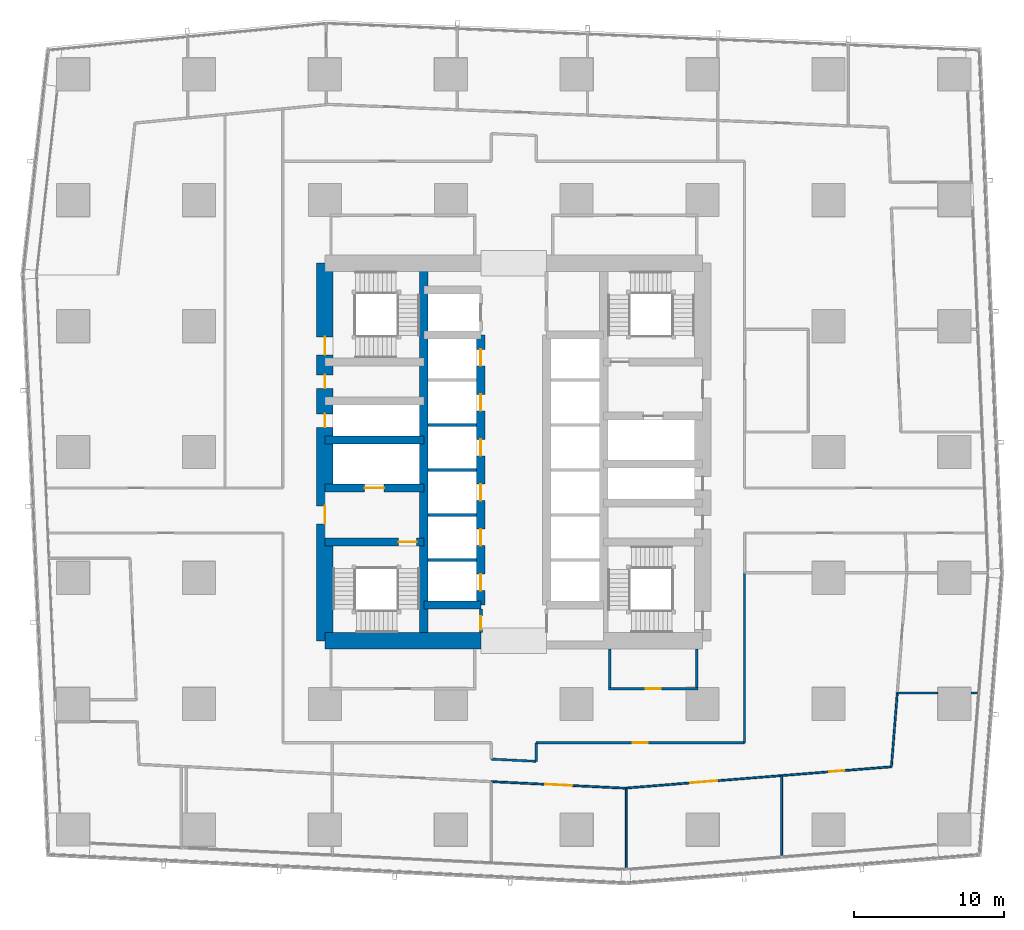
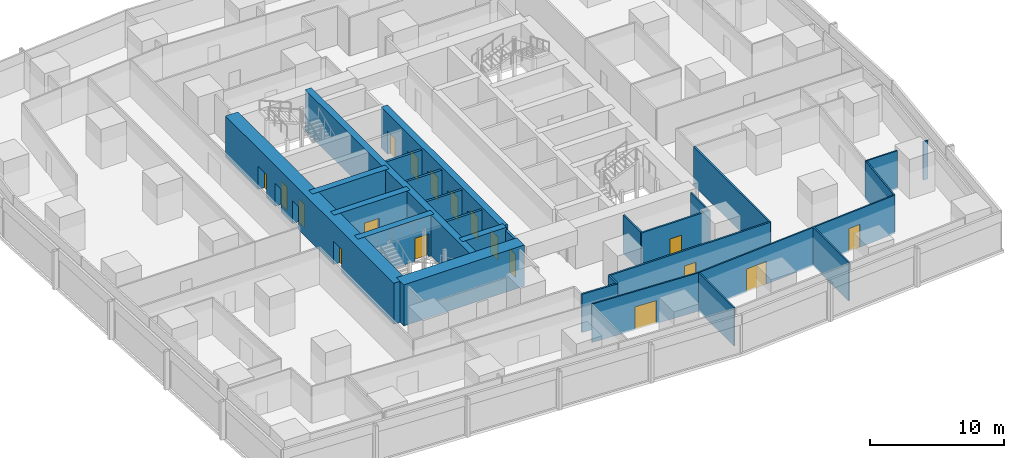
# One storey, part 32 of 44: 28 walls, 18 doors, 18 openings.
"""IFC4 building model written with IfcOpenShell, lengths in metres."""

import ifcopenshell
import ifcopenshell.guid

model = None  # the IFC model being written
_history = None  # IfcOwnerHistory: only IFC2X3 demands one
_inside = {}  # id of a spatial element -> (the spatial element, [elements in it])
_under = {}  # id of a project, library or spatial element -> (it, [spatial elements below it])
_declared = {}  # id of a project -> (the project, [libraries it declares])
_typed = {}  # id of a type object -> (the type object, [elements of that type])
_made_of = {}  # id of a material, layer set ... -> (it, [elements and type objects made of it])


def new_model(schema):
    """Start an empty IFC model of exactly this schema.

    Asked for "IFC4X3", IfcOpenShell would pick the latest addendum, in which some entities
    have other attributes; the version numbers below select the first issue.
    IFC2X3 requires an IfcOwnerHistory on every rooted entity: one is made here for all.
    """
    global model, _history
    if schema == "IFC4X3":
        model = ifcopenshell.file(schema_version=(4, 3, 0, 0))
    else:
        model = ifcopenshell.file(schema=schema)
    _inside.clear()
    _under.clear()
    _declared.clear()
    _typed.clear()
    _made_of.clear()
    _history = None
    if model.schema == "IFC2X3":
        org = make("IfcOrganization", Name="unknown")
        user = make(
            "IfcPersonAndOrganization",
            ThePerson=make("IfcPerson", FamilyName="unknown"),
            TheOrganization=org,
        )
        app = make(
            "IfcApplication",
            ApplicationDeveloper=org,
            Version="unknown",
            ApplicationFullName="unknown",
            ApplicationIdentifier="unknown",
        )
        _history = make(
            "IfcOwnerHistory",
            OwningUser=user,
            OwningApplication=app,
            ChangeAction="ADDED",
            CreationDate=0,
        )
    return model


def make(cls, **values):
    """One entity of the class cls with the attributes given. An attribute that is None is left unset."""
    return model.create_entity(
        cls, **{name: value for name, value in values.items() if value is not None}
    )


def rooted(cls, **values):
    """An entity with a GlobalId (a new one), such as an element, a storey or a relation."""
    return make(cls, GlobalId=ifcopenshell.guid.new(), OwnerHistory=_history, **values)


def si_unit(unit_type, name, prefix=None):
    """IfcSIUnit, for example si_unit("LENGTHUNIT", "METRE", prefix="MILLI")."""
    return make("IfcSIUnit", UnitType=unit_type, Prefix=prefix, Name=name)


def assignment(units):
    """IfcUnitAssignment: the units of a project."""
    return None if units is None else make("IfcUnitAssignment", Units=units)


def point(xyz):
    """IfcCartesianPoint."""
    return None if xyz is None else make("IfcCartesianPoint", Coordinates=xyz)


def direction(xyz):
    """IfcDirection."""
    return None if xyz is None else make("IfcDirection", DirectionRatios=xyz)


def frame(location, z_axis=None, x_axis=None):
    """IfcAxis2Placement3D, a coordinate frame: its origin and axes. An axis left out is left unset."""
    return make(
        "IfcAxis2Placement3D",
        Location=point(location),
        Axis=direction(z_axis),
        RefDirection=direction(x_axis),
    )


def frame_2d(location, x_axis=None):
    """IfcAxis2Placement2D, a coordinate frame in the plane: its origin and x axis."""
    return make(
        "IfcAxis2Placement2D", Location=point(location), RefDirection=direction(x_axis)
    )


def origin():
    """The frame at (0, 0, 0) with its axes left unset."""
    return frame((0.0, 0.0, 0.0))


def place(relative_to, where):
    """IfcLocalPlacement: puts the frame where relative to a parent placement (None: the world)."""
    return make(
        "IfcLocalPlacement", PlacementRelTo=relative_to, RelativePlacement=where
    )


def context(
    kind, dimensions, precision=None, world=None, true_north=None, identifier=None
):
    """IfcGeometricRepresentationContext, for example the 3D "Model" context."""
    return make(
        "IfcGeometricRepresentationContext",
        ContextIdentifier=identifier,
        ContextType=kind,
        CoordinateSpaceDimension=dimensions,
        Precision=precision,
        WorldCoordinateSystem=world,
        TrueNorth=true_north,
    )


def subcontext(parent, identifier, kind, view, scale=None):
    """IfcGeometricRepresentationSubContext, for example "Body" below "Model"."""
    return make(
        "IfcGeometricRepresentationSubContext",
        ContextIdentifier=identifier,
        ContextType=kind,
        ParentContext=parent,
        TargetScale=scale,
        TargetView=view,
    )


def project(units=None, contexts=None):
    """IfcProject with its units and contexts."""
    return rooted(
        "IfcProject",
        Name="project",
        RepresentationContexts=contexts,
        UnitsInContext=assignment(units),
    )


def spatial(cls, under=None, at=None, **own):
    """A site, building, storey or space (cls), placed at a placement, below another one or the project."""
    s = rooted(cls, ObjectPlacement=at, **own)
    if under is not None:
        _under.setdefault(under.id(), (under, []))[1].append(s)
    return s


def profile(cls, at=None, kind="AREA", **sizes):
    """A parametric profile (cls). Its sizes go by their IFC names, for example OverallWidth=200.0."""
    return make(cls, ProfileType=kind, Position=at, **sizes)


def rectangle(**sizes):
    """IfcRectangleProfileDef."""
    return profile("IfcRectangleProfileDef", **sizes)


def extrude(swept, where, along, depth):
    """IfcExtrudedAreaSolid: the profile swept, set in the frame where, extruded along a direction by depth."""
    return make(
        "IfcExtrudedAreaSolid",
        SweptArea=swept,
        Position=where,
        ExtrudedDirection=direction(along),
        Depth=depth,
    )


def shape(context_of_items, identifier, shape_type, items):
    """IfcShapeRepresentation: the items that make up one representation, for example the "Body"."""
    return make(
        "IfcShapeRepresentation",
        ContextOfItems=context_of_items,
        RepresentationIdentifier=identifier,
        RepresentationType=shape_type,
        Items=items,
    )


def material(Name=None, Category=None):
    """IfcMaterial."""
    return make("IfcMaterial", Name=Name, Category=Category)


def layer(
    of_material, thickness, ventilated=None, Name=None, Category=None, Priority=None
):
    """IfcMaterialLayer: one layer of a wall or slab, of a material (None: an air gap)."""
    return make(
        "IfcMaterialLayer",
        Material=of_material,
        LayerThickness=thickness,
        IsVentilated=ventilated,
        Name=Name,
        Category=Category,
        Priority=Priority,
    )


def layer_set(layers, Name=None):
    """IfcMaterialLayerSet."""
    return make("IfcMaterialLayerSet", MaterialLayers=layers, LayerSetName=Name)


def made_of(thing, what):
    """Note that an element or type object is made of a material, layer set ...; save() writes the relation."""
    if what is not None:
        _made_of.setdefault(what.id(), (what, []))[1].append(thing)
    return thing


def type_object(cls, material=None, **own):
    """A type object (cls), such as IfcWallType, which elements share."""
    return made_of(rooted(cls, **own), material)


def element(
    cls,
    number,
    at=None,
    inside=None,
    cuts=None,
    type_object=None,
    material=None,
    context=None,
    identifier="Body",
    shape_type=None,
    held_by="IfcProductDefinitionShape",
    body=None,
    shapes=None,
    **own,
):
    """One element of the class cls, such as IfcWall. Its Tag is "e" and its number.

    at: its placement. inside: the storey or other place that contains it. cuts: it is an
    opening in that element (IfcRelVoidsElement). A single representation is given by context,
    identifier, shape_type and body (its items); several are given by shapes. held_by: the class
    of the entity that holds the representations. save() writes the other relations.
    """
    e = rooted(cls, Tag="e%d" % number, ObjectPlacement=at, **own)
    if body is not None:
        shapes = [shape(context, identifier, shape_type, body)]
    if shapes is not None:
        e.Representation = make(held_by, Representations=shapes)
    if inside is not None:
        _inside.setdefault(inside.id(), (inside, []))[1].append(e)
    if cuts is not None:
        rooted(
            "IfcRelVoidsElement", RelatingBuildingElement=cuts, RelatedOpeningElement=e
        )
    if type_object is not None:
        _typed.setdefault(type_object.id(), (type_object, []))[1].append(e)
    return made_of(e, material)


def fill(opening, filler):
    """IfcRelFillsElement: the door or window that sits in an opening."""
    return rooted(
        "IfcRelFillsElement",
        RelatingOpeningElement=opening,
        RelatedBuildingElement=filler,
    )


def aggregate(whole, parts):
    """IfcRelAggregates: a whole, such as a stair, and the parts it consists of."""
    return rooted("IfcRelAggregates", RelatingObject=whole, RelatedObjects=parts)


def save(model, path):
    """Write the relations noted so far, then the file.

    IfcRelAggregates (storeys below a building ...), IfcRelContainedInSpatialStructure (elements
    in a storey), IfcRelDefinesByType, IfcRelAssociatesMaterial and IfcRelDeclares: one each for
    every whole, place, type object, material and project.
    """
    for whole, parts in _under.values():
        aggregate(whole, parts)
    for where, things in _inside.values():
        rooted(
            "IfcRelContainedInSpatialStructure",
            RelatedElements=things,
            RelatingStructure=where,
        )
    for kind, things in _typed.values():
        rooted("IfcRelDefinesByType", RelatedObjects=things, RelatingType=kind)
    for what, things in _made_of.values():
        rooted("IfcRelAssociatesMaterial", RelatedObjects=things, RelatingMaterial=what)
    for by, libraries in _declared.values():
        rooted("IfcRelDeclares", RelatingContext=by, RelatedDefinitions=libraries)
    model.write(path)


model = new_model("IFC4")

# Units and contexts
model_context = context("Model", 3, precision=1e-05, world=origin(), true_north=direction((0.0, 1.0)))
body_context = subcontext(model_context, "Body", "Model", "MODEL_VIEW")
ifc_project = project(units=[si_unit("LENGTHUNIT", "METRE"), si_unit("AREAUNIT", "SQUARE_METRE"), si_unit("VOLUMEUNIT", "CUBIC_METRE"), si_unit("PLANEANGLEUNIT", "RADIAN"), si_unit("MASSUNIT", "GRAM", prefix="KILO")], contexts=[model_context])

# Site, building, storey
site_placement = place(None, origin())
site = spatial("IfcSite", under=ifc_project, at=site_placement, CompositionType="ELEMENT")
building_placement = place(site_placement, origin())
building = spatial("IfcBuilding", under=site, at=building_placement, Name="Rekha Terrace Tower", CompositionType="ELEMENT")
storey_placement = place(building_placement, frame((0.0, 0.0, 66.64990234375)))
storey = spatial("IfcBuildingStorey", under=building, at=storey_placement, Name="L16", CompositionType="ELEMENT", Elevation=66.64990234375)

# Wall
ifc_material_1 = material(Name="Concrete M70", Category="concrete")
ifc_layer_1 = layer(ifc_material_1, 0.550048828125)
ifc_layer_set_1 = layer_set([ifc_layer_1], Name="Concrete M70")
wall_type_1 = type_object("IfcWallType", Name="CI1 550 core internal shear wall", PredefinedType="SHEAR", material=ifc_layer_set_1)
wall_1_placement = place(storey_placement, frame((31.800048828125, 21.0, 0.0), z_axis=(0.0, 0.0, 1.0), x_axis=(0.0, 1.0, 0.0)))
element("IfcWall", 1, at=wall_1_placement, inside=storey, type_object=wall_type_1, Name="Core wall X318 L16", PredefinedType="SHEAR", context=body_context, shape_type="SweptSolid", body=[
    extrude(rectangle(XDim=25.199951171875, YDim=0.550048828125, at=frame_2d((12.60009765625, 0.0))), origin(), (0.0, 0.0, 1.0), 3.75),
])

# Wall, openings, doors
wall_2_placement = place(storey_placement, frame((35.60009765625, 23.39990234375, 0.0), z_axis=(0.0, 0.0, 1.0), x_axis=(0.0, 1.0, 0.0)))
wall_2 = element("IfcWall", 2, at=wall_2_placement, inside=storey, type_object=wall_type_1, Name="Core wall X356 L16", PredefinedType="SHEAR", context=body_context, shape_type="SweptSolid", body=[
    extrude(rectangle(XDim=18.0, YDim=0.550048828125, at=frame_2d((9.0, 0.0))), origin(), (0.0, 0.0, 1.0), 3.75),
])
opening_1_placement = place(wall_2_placement, frame((0.949951171875, 0.0, 0.0)))
opening_1 = element("IfcOpeningElement", 3, at=opening_1_placement, cuts=wall_2, Name="Opening LD1", PredefinedType="OPENING", context=body_context, shape_type="SweptSolid", body=[
    extrude(rectangle(XDim=1.10009765625, YDim=2.10009765625, at=frame_2d((0.550048828125, 1.050048828125))), frame((0.0, 0.284912109375, 0.0), z_axis=(0.0, -1.0, 0.0), x_axis=(1.0, 0.0, 0.0)), (0.0, 0.0, 1.0), 0.570068359375),
])
opening_2_placement = place(wall_2_placement, frame((3.949951171875, 0.0, 0.0)))
opening_2 = element("IfcOpeningElement", 4, at=opening_2_placement, cuts=wall_2, Name="Opening LD1", PredefinedType="OPENING", context=body_context, shape_type="SweptSolid", body=[
    extrude(rectangle(XDim=1.10009765625, YDim=2.10009765625, at=frame_2d((0.550048828125, 1.050048828125))), frame((0.0, 0.284912109375, 0.0), z_axis=(0.0, -1.0, 0.0), x_axis=(1.0, 0.0, 0.0)), (0.0, 0.0, 1.0), 0.570068359375),
])
opening_3_placement = place(wall_2_placement, frame((6.949951171875, 0.0, 0.0)))
opening_3 = element("IfcOpeningElement", 5, at=opening_3_placement, cuts=wall_2, Name="Opening LD1", PredefinedType="OPENING", context=body_context, shape_type="SweptSolid", body=[
    extrude(rectangle(XDim=1.10009765625, YDim=2.10009765625, at=frame_2d((0.550048828125, 1.050048828125))), frame((0.0, 0.284912109375, 0.0), z_axis=(0.0, -1.0, 0.0), x_axis=(1.0, 0.0, 0.0)), (0.0, 0.0, 1.0), 0.570068359375),
])
opening_4_placement = place(wall_2_placement, frame((9.949951171875, 0.0, 0.0)))
opening_4 = element("IfcOpeningElement", 6, at=opening_4_placement, cuts=wall_2, Name="Opening LD1", PredefinedType="OPENING", context=body_context, shape_type="SweptSolid", body=[
    extrude(rectangle(XDim=1.10009765625, YDim=2.10009765625, at=frame_2d((0.550048828125, 1.050048828125))), frame((0.0, 0.284912109375, 0.0), z_axis=(0.0, -1.0, 0.0), x_axis=(1.0, 0.0, 0.0)), (0.0, 0.0, 1.0), 0.570068359375),
])
opening_5_placement = place(wall_2_placement, frame((12.949951171875, 0.0, 0.0)))
opening_5 = element("IfcOpeningElement", 7, at=opening_5_placement, cuts=wall_2, Name="Opening LD1", PredefinedType="OPENING", context=body_context, shape_type="SweptSolid", body=[
    extrude(rectangle(XDim=1.10009765625, YDim=2.10009765625, at=frame_2d((0.550048828125, 1.050048828125))), frame((0.0, 0.284912109375, 0.0), z_axis=(0.0, -1.0, 0.0), x_axis=(1.0, 0.0, 0.0)), (0.0, 0.0, 1.0), 0.570068359375),
])
opening_6_placement = place(wall_2_placement, frame((15.949951171875, 0.0, 0.0)))
opening_6 = element("IfcOpeningElement", 8, at=opening_6_placement, cuts=wall_2, Name="Opening LD1", PredefinedType="OPENING", context=body_context, shape_type="SweptSolid", body=[
    extrude(rectangle(XDim=1.10009765625, YDim=2.10009765625, at=frame_2d((0.550048828125, 1.050048828125))), frame((0.0, 0.284912109375, 0.0), z_axis=(0.0, -1.0, 0.0), x_axis=(1.0, 0.0, 0.0)), (0.0, 0.0, 1.0), 0.570068359375),
])
ifc_material_2 = material(Name="Stainless steel sliding landing door", Category="steel")
door_type_1 = type_object("IfcDoorType", Name="LD1 1100x2100 lift landing door", OperationType="SLIDING_TO_LEFT", PredefinedType="USERDEFINED", material=ifc_material_2)
door_1_placement = place(opening_1_placement, origin())
door_1 = element("IfcDoor", 9, at=door_1_placement, inside=storey, type_object=door_type_1, Name="Lift A1 landing door L16", ObjectType="LIFT LANDING DOOR", OperationType="SLIDING_TO_LEFT", OverallHeight=2.10009765625, OverallWidth=1.10009765625, PredefinedType="USERDEFINED", context=body_context, shape_type="SweptSolid", body=[
    extrude(rectangle(XDim=1.10009765625, YDim=2.10009765625, at=frame_2d((0.550048828125, 1.050048828125))), frame((0.0, 0.02490234375, 0.0), z_axis=(0.0, -1.0, 0.0), x_axis=(1.0, 0.0, 0.0)), (0.0, 0.0, 1.0), 0.050048828125),
])
fill(opening_1, door_1)
door_2_placement = place(opening_2_placement, origin())
door_2 = element("IfcDoor", 10, at=door_2_placement, inside=storey, type_object=door_type_1, Name="Lift A2 landing door L16", ObjectType="LIFT LANDING DOOR", OperationType="SLIDING_TO_LEFT", OverallHeight=2.10009765625, OverallWidth=1.10009765625, PredefinedType="USERDEFINED", context=body_context, shape_type="SweptSolid", body=[
    extrude(rectangle(XDim=1.10009765625, YDim=2.10009765625, at=frame_2d((0.550048828125, 1.050048828125))), frame((0.0, 0.02490234375, 0.0), z_axis=(0.0, -1.0, 0.0), x_axis=(1.0, 0.0, 0.0)), (0.0, 0.0, 1.0), 0.050048828125),
])
fill(opening_2, door_2)
door_3_placement = place(opening_3_placement, origin())
door_3 = element("IfcDoor", 11, at=door_3_placement, inside=storey, type_object=door_type_1, Name="Lift A3 landing door L16", ObjectType="LIFT LANDING DOOR", OperationType="SLIDING_TO_LEFT", OverallHeight=2.10009765625, OverallWidth=1.10009765625, PredefinedType="USERDEFINED", context=body_context, shape_type="SweptSolid", body=[
    extrude(rectangle(XDim=1.10009765625, YDim=2.10009765625, at=frame_2d((0.550048828125, 1.050048828125))), frame((0.0, 0.02490234375, 0.0), z_axis=(0.0, -1.0, 0.0), x_axis=(1.0, 0.0, 0.0)), (0.0, 0.0, 1.0), 0.050048828125),
])
fill(opening_3, door_3)
door_4_placement = place(opening_4_placement, origin())
door_4 = element("IfcDoor", 12, at=door_4_placement, inside=storey, type_object=door_type_1, Name="Lift A4 landing door L16", ObjectType="LIFT LANDING DOOR", OperationType="SLIDING_TO_LEFT", OverallHeight=2.10009765625, OverallWidth=1.10009765625, PredefinedType="USERDEFINED", context=body_context, shape_type="SweptSolid", body=[
    extrude(rectangle(XDim=1.10009765625, YDim=2.10009765625, at=frame_2d((0.550048828125, 1.050048828125))), frame((0.0, 0.02490234375, 0.0), z_axis=(0.0, -1.0, 0.0), x_axis=(1.0, 0.0, 0.0)), (0.0, 0.0, 1.0), 0.050048828125),
])
fill(opening_4, door_4)
door_5_placement = place(opening_5_placement, origin())
door_5 = element("IfcDoor", 13, at=door_5_placement, inside=storey, type_object=door_type_1, Name="Lift A5 landing door L16", ObjectType="LIFT LANDING DOOR", OperationType="SLIDING_TO_LEFT", OverallHeight=2.10009765625, OverallWidth=1.10009765625, PredefinedType="USERDEFINED", context=body_context, shape_type="SweptSolid", body=[
    extrude(rectangle(XDim=1.10009765625, YDim=2.10009765625, at=frame_2d((0.550048828125, 1.050048828125))), frame((0.0, 0.02490234375, 0.0), z_axis=(0.0, -1.0, 0.0), x_axis=(1.0, 0.0, 0.0)), (0.0, 0.0, 1.0), 0.050048828125),
])
fill(opening_5, door_5)
door_6_placement = place(opening_6_placement, origin())
door_6 = element("IfcDoor", 14, at=door_6_placement, inside=storey, type_object=door_type_1, Name="Lift A6 landing door L16", ObjectType="LIFT LANDING DOOR", OperationType="SLIDING_TO_LEFT", OverallHeight=2.10009765625, OverallWidth=1.10009765625, PredefinedType="USERDEFINED", context=body_context, shape_type="SweptSolid", body=[
    extrude(rectangle(XDim=1.10009765625, YDim=2.10009765625, at=frame_2d((0.550048828125, 1.050048828125))), frame((0.0, 0.02490234375, 0.0), z_axis=(0.0, -1.0, 0.0), x_axis=(1.0, 0.0, 0.0)), (0.0, 0.0, 1.0), 0.050048828125),
])
fill(opening_6, door_6)

# Wall
wall_3_placement = place(storey_placement, frame((31.800048828125, 23.39990234375, 0.0), z_axis=(0.0, 0.0, 1.0), x_axis=(1.0, 0.0, 0.0)))
element("IfcWall", 15, at=wall_3_placement, inside=storey, type_object=wall_type_1, Name="Core wall Y234W L16", PredefinedType="SHEAR", context=body_context, shape_type="SweptSolid", body=[
    extrude(rectangle(XDim=3.800048828125, YDim=0.550048828125, at=frame_2d((1.89990234375, 0.0))), origin(), (0.0, 0.0, 1.0), 3.75),
])

# Wall, opening, door
wall_4_placement = place(storey_placement, frame((25.199951171875, 27.60009765625, 0.0), z_axis=(0.0, 0.0, 1.0), x_axis=(1.0, 0.0, 0.0)))
wall_4 = element("IfcWall", 16, at=wall_4_placement, inside=storey, type_object=wall_type_1, Name="Core wall Y276W L16", PredefinedType="SHEAR", context=body_context, shape_type="SweptSolid", body=[
    extrude(rectangle(XDim=6.60009765625, YDim=0.550048828125, at=frame_2d((3.300048828125, 0.0))), origin(), (0.0, 0.0, 1.0), 3.75),
])
opening_7_placement = place(wall_4_placement, frame((4.925048828125, 0.0, 0.0)))
opening_7 = element("IfcOpeningElement", 17, at=opening_7_placement, cuts=wall_4, Name="Opening D1", PredefinedType="OPENING", context=body_context, shape_type="SweptSolid", body=[
    extrude(rectangle(XDim=1.199951171875, YDim=2.10009765625, at=frame_2d((0.60009765625, 1.050048828125))), frame((0.0, 0.284912109375, 0.0), z_axis=(0.0, -1.0, 0.0), x_axis=(1.0, 0.0, 0.0)), (0.0, 0.0, 1.0), 0.570068359375),
])
ifc_material_3 = material(Name="Steel fire door", Category="steel")
door_type_2 = type_object("IfcDoorType", Name="D1 1200x2100 stair fire door", OperationType="SINGLE_SWING_RIGHT", PredefinedType="DOOR", material=ifc_material_3)
door_7_placement = place(opening_7_placement, origin())
door_7 = element("IfcDoor", 18, at=door_7_placement, inside=storey, type_object=door_type_2, Name="Stair ST1 door L16", OperationType="SINGLE_SWING_RIGHT", OverallHeight=2.10009765625, OverallWidth=1.199951171875, PredefinedType="DOOR", context=body_context, shape_type="SweptSolid", body=[
    extrude(rectangle(XDim=1.199951171875, YDim=2.10009765625, at=frame_2d((0.60009765625, 1.050048828125))), frame((0.0, 0.02490234375, 0.0), z_axis=(0.0, -1.0, 0.0), x_axis=(1.0, 0.0, 0.0)), (0.0, 0.0, 1.0), 0.050048828125),
])
fill(opening_7, door_7)

wall_5_placement = place(storey_placement, frame((25.199951171875, 31.199951171875, 0.0), z_axis=(0.0, 0.0, 1.0), x_axis=(1.0, 0.0, 0.0)))
wall_5 = element("IfcWall", 19, at=wall_5_placement, inside=storey, type_object=wall_type_1, Name="Core wall Y312W L16", PredefinedType="SHEAR", context=body_context, shape_type="SweptSolid", body=[
    extrude(rectangle(XDim=6.60009765625, YDim=0.550048828125, at=frame_2d((3.300048828125, 0.0))), origin(), (0.0, 0.0, 1.0), 3.75),
])
opening_8_placement = place(wall_5_placement, frame((2.64990234375, 0.0, 0.0)))
opening_8 = element("IfcOpeningElement", 20, at=opening_8_placement, cuts=wall_5, Name="Opening LD2", PredefinedType="OPENING", context=body_context, shape_type="SweptSolid", body=[
    extrude(rectangle(XDim=1.300048828125, YDim=2.10009765625, at=frame_2d((0.64990234375, 1.050048828125))), frame((0.0, 0.284912109375, 0.0), z_axis=(0.0, -1.0, 0.0), x_axis=(1.0, 0.0, 0.0)), (0.0, 0.0, 1.0), 0.570068359375),
])
door_type_3 = type_object("IfcDoorType", Name="LD2 1300x2100 fire lift landing door", OperationType="SLIDING_TO_LEFT", PredefinedType="USERDEFINED", material=ifc_material_2)
door_8_placement = place(opening_8_placement, origin())
door_8 = element("IfcDoor", 21, at=door_8_placement, inside=storey, type_object=door_type_3, Name="Lift FL1 landing door L16", ObjectType="LIFT LANDING DOOR", OperationType="SLIDING_TO_LEFT", OverallHeight=2.10009765625, OverallWidth=1.300048828125, PredefinedType="USERDEFINED", context=body_context, shape_type="SweptSolid", body=[
    extrude(rectangle(XDim=1.300048828125, YDim=2.10009765625, at=frame_2d((0.64990234375, 1.050048828125))), frame((0.0, 0.02490234375, 0.0), z_axis=(0.0, -1.0, 0.0), x_axis=(1.0, 0.0, 0.0)), (0.0, 0.0, 1.0), 0.050048828125),
])
fill(opening_8, door_8)

# Walls
wall_6_placement = place(storey_placement, frame((25.199951171875, 34.39990234375, 0.0), z_axis=(0.0, 0.0, 1.0), x_axis=(1.0, 0.0, 0.0)))
element("IfcWall", 22, at=wall_6_placement, inside=storey, type_object=wall_type_1, Name="Core wall Y344W L16", PredefinedType="SHEAR", context=body_context, shape_type="SweptSolid", body=[
    extrude(rectangle(XDim=6.60009765625, YDim=0.550048828125, at=frame_2d((3.300048828125, 0.0))), origin(), (0.0, 0.0, 1.0), 3.75),
])
ifc_layer_2 = layer(ifc_material_1, 1.10009765625)
ifc_layer_set_2 = layer_set([ifc_layer_2], Name="Concrete M70")
wall_type_2 = type_object("IfcWallType", Name="SW1 1100 core outer shear wall", PredefinedType="SHEAR", material=ifc_layer_set_2)
wall_7_placement = place(storey_placement, frame((25.199951171875, 21.0, 0.0), z_axis=(0.0, 0.0, 1.0), x_axis=(1.0, 0.0, 0.0)))
element("IfcWall", 23, at=wall_7_placement, inside=storey, type_object=wall_type_2, Name="Core wall S1 L16", PredefinedType="SHEAR", context=body_context, shape_type="SweptSolid", body=[
    extrude(rectangle(XDim=10.400146484375, YDim=1.10009765625, at=frame_2d((5.2001953125, 0.0))), origin(), (0.0, 0.0, 1.0), 3.75),
])

# Wall, openings, doors
wall_8_placement = place(storey_placement, frame((25.199951171875, 21.0, 0.0), z_axis=(0.0, 0.0, 1.0), x_axis=(0.0, 1.0, 0.0)))
wall_8 = element("IfcWall", 24, at=wall_8_placement, inside=storey, type_object=wall_type_2, Name="Core wall W L16", PredefinedType="SHEAR", context=body_context, shape_type="SweptSolid", body=[
    extrude(rectangle(XDim=25.199951171875, YDim=1.10009765625, at=frame_2d((12.60009765625, 0.0))), origin(), (0.0, 0.0, 1.0), 3.75),
])
opening_9_placement = place(wall_8_placement, frame((7.800048828125, 0.0, 0.0)))
opening_9 = element("IfcOpeningElement", 25, at=opening_9_placement, cuts=wall_8, Name="Opening D2", PredefinedType="OPENING", context=body_context, shape_type="SweptSolid", body=[
    extrude(rectangle(XDim=1.199951171875, YDim=2.10009765625, at=frame_2d((0.60009765625, 1.050048828125))), frame((0.0, 0.56005859375, 0.0), z_axis=(0.0, -1.0, 0.0), x_axis=(1.0, 0.0, 0.0)), (0.0, 0.0, 1.0), 1.1201171875),
])
opening_10_placement = place(wall_8_placement, frame((14.25, 0.0, 0.0)))
opening_10 = element("IfcOpeningElement", 26, at=opening_10_placement, cuts=wall_8, Name="Opening D5", PredefinedType="OPENING", context=body_context, shape_type="SweptSolid", body=[
    extrude(rectangle(XDim=0.89990234375, YDim=2.10009765625, at=frame_2d((0.449951171875, 1.050048828125))), frame((0.0, 0.56005859375, 0.0), z_axis=(0.0, -1.0, 0.0), x_axis=(1.0, 0.0, 0.0)), (0.0, 0.0, 1.0), 1.1201171875),
])
opening_11_placement = place(wall_8_placement, frame((16.85009765625, 0.0, 0.0)))
opening_11 = element("IfcOpeningElement", 27, at=opening_11_placement, cuts=wall_8, Name="Opening D5", PredefinedType="OPENING", context=body_context, shape_type="SweptSolid", body=[
    extrude(rectangle(XDim=0.89990234375, YDim=2.10009765625, at=frame_2d((0.449951171875, 1.050048828125))), frame((0.0, 0.56005859375, 0.0), z_axis=(0.0, -1.0, 0.0), x_axis=(1.0, 0.0, 0.0)), (0.0, 0.0, 1.0), 1.1201171875),
])
opening_12_placement = place(wall_8_placement, frame((19.074951171875, 0.0, 0.0)))
opening_12 = element("IfcOpeningElement", 28, at=opening_12_placement, cuts=wall_8, Name="Opening D1", PredefinedType="OPENING", context=body_context, shape_type="SweptSolid", body=[
    extrude(rectangle(XDim=1.199951171875, YDim=2.10009765625, at=frame_2d((0.60009765625, 1.050048828125))), frame((0.0, 0.56005859375, 0.0), z_axis=(0.0, -1.0, 0.0), x_axis=(1.0, 0.0, 0.0)), (0.0, 0.0, 1.0), 1.1201171875),
])
door_9_placement = place(opening_12_placement, origin())
door_9 = element("IfcDoor", 29, at=door_9_placement, inside=storey, type_object=door_type_2, Name="Stair ST4 door L16", OperationType="SINGLE_SWING_RIGHT", OverallHeight=2.10009765625, OverallWidth=1.199951171875, PredefinedType="DOOR", context=body_context, shape_type="SweptSolid", body=[
    extrude(rectangle(XDim=1.199951171875, YDim=2.10009765625, at=frame_2d((0.60009765625, 1.050048828125))), frame((0.0, 0.02490234375, 0.0), z_axis=(0.0, -1.0, 0.0), x_axis=(1.0, 0.0, 0.0)), (0.0, 0.0, 1.0), 0.050048828125),
])
fill(opening_12, door_9)
door_type_4 = type_object("IfcDoorType", Name="D2 1200x2100 firefighting lobby door", OperationType="SINGLE_SWING_LEFT", PredefinedType="DOOR", material=ifc_material_3)
door_10_placement = place(opening_9_placement, origin())
door_10 = element("IfcDoor", 30, at=door_10_placement, inside=storey, type_object=door_type_4, Name="Door flb1 L16", OperationType="SINGLE_SWING_LEFT", OverallHeight=2.10009765625, OverallWidth=1.199951171875, PredefinedType="DOOR", context=body_context, shape_type="SweptSolid", body=[
    extrude(rectangle(XDim=1.199951171875, YDim=2.10009765625, at=frame_2d((0.60009765625, 1.050048828125))), frame((0.0, 0.02490234375, 0.0), z_axis=(0.0, -1.0, 0.0), x_axis=(1.0, 0.0, 0.0)), (0.0, 0.0, 1.0), 0.050048828125),
])
fill(opening_9, door_10)
door_type_5 = type_object("IfcDoorType", Name="D5 900x2100 riser access door", OperationType="SINGLE_SWING_LEFT", PredefinedType="DOOR", material=ifc_material_3)
door_11_placement = place(opening_10_placement, origin())
door_11 = element("IfcDoor", 31, at=door_11_placement, inside=storey, type_object=door_type_5, Name="Door rs1 L16", OperationType="SINGLE_SWING_LEFT", OverallHeight=2.10009765625, OverallWidth=0.89990234375, PredefinedType="DOOR", context=body_context, shape_type="SweptSolid", body=[
    extrude(rectangle(XDim=0.89990234375, YDim=2.10009765625, at=frame_2d((0.449951171875, 1.050048828125))), frame((0.0, 0.02490234375, 0.0), z_axis=(0.0, -1.0, 0.0), x_axis=(1.0, 0.0, 0.0)), (0.0, 0.0, 1.0), 0.050048828125),
])
fill(opening_10, door_11)
door_12_placement = place(opening_11_placement, origin())
door_12 = element("IfcDoor", 32, at=door_12_placement, inside=storey, type_object=door_type_5, Name="Door elw L16", OperationType="SINGLE_SWING_LEFT", OverallHeight=2.10009765625, OverallWidth=0.89990234375, PredefinedType="DOOR", context=body_context, shape_type="SweptSolid", body=[
    extrude(rectangle(XDim=0.89990234375, YDim=2.10009765625, at=frame_2d((0.449951171875, 1.050048828125))), frame((0.0, 0.02490234375, 0.0), z_axis=(0.0, -1.0, 0.0), x_axis=(1.0, 0.0, 0.0)), (0.0, 0.0, 1.0), 0.050048828125),
])
fill(opening_11, door_12)

# Wall, opening, door
ifc_material_4 = material(Name="Concrete block masonry, 1 hour", Category="masonry")
ifc_layer_3 = layer(ifc_material_4, 0.14990234375)
ifc_layer_set_3 = layer_set([ifc_layer_3], Name="Concrete block masonry, 1 hour")
wall_type_3 = type_object("IfcWallType", Name="WP2 150 tenancy partition", PredefinedType="PARTITIONING", material=ifc_layer_set_3)
wall_9_placement = place(storey_placement, frame((44.125, 17.800048828125, 0.0), z_axis=(0.0, 0.0, 1.0), x_axis=(1.0, 0.0, 0.0)))
wall_9 = element("IfcWall", 33, at=wall_9_placement, inside=storey, type_object=wall_type_3, Name="Men's WC wall L16", PredefinedType="PARTITIONING", context=body_context, shape_type="SweptSolid", body=[
    extrude(rectangle(XDim=5.949951171875, YDim=0.14990234375, at=frame_2d((2.97509765625, 0.0))), origin(), (0.0, 0.0, 1.0), 3.5),
])
opening_13_placement = place(wall_9_placement, frame((2.47509765625, 0.0, 0.0)))
opening_13 = element("IfcOpeningElement", 34, at=opening_13_placement, cuts=wall_9, Name="Opening D3", PredefinedType="OPENING", context=body_context, shape_type="SweptSolid", body=[
    extrude(rectangle(XDim=1.0, YDim=2.10009765625, at=frame_2d((0.5, 1.050048828125))), frame((0.0, 0.0849609375, 0.0), z_axis=(0.0, -1.0, 0.0), x_axis=(1.0, 0.0, 0.0)), (0.0, 0.0, 1.0), 0.169921875),
])
ifc_material_5 = material(Name="Laminated timber fire door", Category="wood")
door_type_6 = type_object("IfcDoorType", Name="D3 1000x2100 WC door", OperationType="SINGLE_SWING_LEFT", PredefinedType="DOOR", material=ifc_material_5)
door_13_placement = place(opening_13_placement, origin())
door_13 = element("IfcDoor", 35, at=door_13_placement, inside=storey, type_object=door_type_6, Name="Door men's wc L16", OperationType="SINGLE_SWING_LEFT", OverallHeight=2.10009765625, OverallWidth=1.0, PredefinedType="DOOR", context=body_context, shape_type="SweptSolid", body=[
    extrude(rectangle(XDim=1.0, YDim=2.10009765625, at=frame_2d((0.5, 1.050048828125))), frame((0.0, 0.02490234375, 0.0), z_axis=(0.0, -1.0, 0.0), x_axis=(1.0, 0.0, 0.0)), (0.0, 0.0, 1.0), 0.050048828125),
])
fill(opening_13, door_13)

# Walls
for number, where, z_axis, x_axis, name in (
    (36, (44.199951171875, 17.875, 0.0), (0.0, 0.0, 1.0), (0.0, 1.0, 0.0), "Men's WC wall L16"),
    (37, (50.0, 17.875, 0.0), (0.0, 0.0, 1.0), (0.0, 1.0, 0.0), "Men's WC wall L16"),
):
    element("IfcWall", number, at=place(storey_placement, frame(where, z_axis=z_axis, x_axis=x_axis)), inside=storey, type_object=wall_type_3, Name=name, PredefinedType="PARTITIONING", context=body_context, shape_type="SweptSolid", body=[
        extrude(rectangle(XDim=2.574951171875, YDim=0.14990234375, at=frame_2d((1.28759765625, 0.0))), origin(), (0.0, 0.0, 1.0), 3.5),
    ])
wall_10_placement = place(storey_placement, frame((36.300048828125, 13.111083984375, 0.0), z_axis=(0.0, 0.0, 1.0), x_axis=(0.998802102454, -0.048932199355, 0.0)))
element("IfcWall", 38, at=wall_10_placement, inside=storey, type_object=wall_type_3, Name="Partition L16-O1", PredefinedType="PARTITIONING", context=body_context, shape_type="SweptSolid", body=[
    extrude(rectangle(XDim=3.003662109375, YDim=0.14990234375, at=frame_2d((1.501953125, 0.0))), origin(), (0.0, 0.0, 1.0), 3.5),
])
wall_11_placement = place(storey_placement, frame((39.300048828125, 12.964111328125, 0.0), z_axis=(0.0, 0.0, 1.0), x_axis=(0.0, 1.0, 0.0)))
element("IfcWall", 39, at=wall_11_placement, inside=storey, type_object=wall_type_3, Name="Partition L16-O1", PredefinedType="PARTITIONING", context=body_context, shape_type="SweptSolid", body=[
    extrude(rectangle(XDim=1.23583984375, YDim=0.14990234375, at=frame_2d((0.617919921875, 0.0))), origin(), (0.0, 0.0, 1.0), 3.5),
])

# Wall, opening, door
wall_12_placement = place(storey_placement, frame((39.300048828125, 14.199951171875, 0.0), z_axis=(0.0, 0.0, 1.0), x_axis=(1.0, 0.0, 0.0)))
wall_12 = element("IfcWall", 40, at=wall_12_placement, inside=storey, type_object=wall_type_3, Name="Partition L16-O1", PredefinedType="PARTITIONING", context=body_context, shape_type="SweptSolid", body=[
    extrude(rectangle(XDim=13.89990234375, YDim=0.14990234375, at=frame_2d((6.949951171875, 0.0))), origin(), (0.0, 0.0, 1.0), 3.5),
])
opening_14_placement = place(wall_12_placement, frame((6.449951171875, 0.0, 0.0)))
opening_14 = element("IfcOpeningElement", 41, at=opening_14_placement, cuts=wall_12, Name="Opening D9", PredefinedType="OPENING", context=body_context, shape_type="SweptSolid", body=[
    extrude(rectangle(XDim=1.0, YDim=2.10009765625, at=frame_2d((0.5, 1.050048828125))), frame((0.0, 0.0849609375, 0.0), z_axis=(0.0, -1.0, 0.0), x_axis=(1.0, 0.0, 0.0)), (0.0, 0.0, 1.0), 0.169921875),
])
ifc_material_6 = material(Name="Timber fire door", Category="wood")
door_type_7 = type_object("IfcDoorType", Name="D9 1000x2100 office door", OperationType="SINGLE_SWING_LEFT", PredefinedType="DOOR", material=ifc_material_6)
door_14_placement = place(opening_14_placement, origin())
door_14 = element("IfcDoor", 42, at=door_14_placement, inside=storey, type_object=door_type_7, Name="Door open-plan office L16", OperationType="SINGLE_SWING_LEFT", OverallHeight=2.10009765625, OverallWidth=1.0, PredefinedType="DOOR", context=body_context, shape_type="SweptSolid", body=[
    extrude(rectangle(XDim=1.0, YDim=2.10009765625, at=frame_2d((0.5, 1.050048828125))), frame((0.0, 0.02490234375, 0.0), z_axis=(0.0, -1.0, 0.0), x_axis=(1.0, 0.0, 0.0)), (0.0, 0.0, 1.0), 0.050048828125),
])
fill(opening_14, door_14)

# Wall
wall_13_placement = place(storey_placement, frame((53.199951171875, 14.199951171875, 0.0), z_axis=(0.0, 0.0, 1.0), x_axis=(0.0, 1.0, 0.0)))
element("IfcWall", 43, at=wall_13_placement, inside=storey, type_object=wall_type_3, Name="Partition L16-O1", PredefinedType="PARTITIONING", context=body_context, shape_type="SweptSolid", body=[
    extrude(rectangle(XDim=11.35205078125, YDim=0.14990234375, at=frame_2d((5.676025390625, 0.0))), origin(), (0.0, 0.0, 1.0), 3.5),
])

# Wall, opening, door
ifc_material_7 = material(Name="Two layers of fire-rated gypsum board each side on steel studs, acoustic quilt, 1 hour", Category="steel")
ifc_layer_4 = layer(ifc_material_7, 0.125)
ifc_layer_set_4 = layer_set([ifc_layer_4], Name="Two layers of fire-rated gypsum board each side on steel studs, acoustic quilt, 1 hour")
wall_type_4 = type_object("IfcWallType", Name="WP3 125 office partition", PredefinedType="PARTITIONING", material=ifc_layer_set_4)
wall_14_placement = place(storey_placement, frame((36.299072265625, 11.60888671875, 0.0), z_axis=(0.0, 0.0, 1.0), x_axis=(0.998798622269, -0.049003185143, 0.0)))
wall_14 = element("IfcWall", 44, at=wall_14_placement, inside=storey, type_object=wall_type_4, Name="Partition L16-02", PredefinedType="PARTITIONING", context=body_context, shape_type="SweptSolid", body=[
    extrude(rectangle(XDim=9.017578125, YDim=0.125, at=frame_2d((4.5087890625, 0.0))), origin(), (0.0, 0.0, 1.0), 3.5),
])
opening_15_placement = place(wall_14_placement, frame((3.60791015625, 0.0, 0.0)))
opening_15 = element("IfcOpeningElement", 45, at=opening_15_placement, cuts=wall_14, Name="Opening D8", PredefinedType="OPENING", context=body_context, shape_type="SweptSolid", body=[
    extrude(rectangle(XDim=1.800048828125, YDim=2.10009765625, at=frame_2d((0.89990234375, 1.050048828125))), frame((0.0, 0.072509765625, 0.0), z_axis=(0.0, -1.0, 0.0), x_axis=(1.0, 0.0, 0.0)), (0.0, 0.0, 1.0), 0.14501953125),
])
door_type_8 = type_object("IfcDoorType", Name="D8 1800x2100 double leaf door", OperationType="DOUBLE_DOOR_SINGLE_SWING", PredefinedType="DOOR", material=ifc_material_6)
door_15_placement = place(opening_15_placement, origin())
door_15 = element("IfcDoor", 46, at=door_15_placement, inside=storey, type_object=door_type_8, Name="Door meeting room L16", OperationType="DOUBLE_DOOR_SINGLE_SWING", OverallHeight=2.10009765625, OverallWidth=1.800048828125, PredefinedType="DOOR", context=body_context, shape_type="SweptSolid", body=[
    extrude(rectangle(XDim=1.800048828125, YDim=2.10009765625, at=frame_2d((0.89990234375, 1.050048828125))), frame((0.0, 0.02490234375, 0.0), z_axis=(0.0, -1.0, 0.0), x_axis=(1.0, 0.0, 0.0)), (0.0, 0.0, 1.0), 0.050048828125),
])
fill(opening_15, door_15)

# Wall
wall_15_placement = place(storey_placement, frame((45.303955078125, 11.10693359375, 0.0), z_axis=(0.0, 0.0, 1.0), x_axis=(0.0, -1.0, 0.0)))
element("IfcWall", 47, at=wall_15_placement, inside=storey, type_object=wall_type_4, Name="Partition L16-02", PredefinedType="PARTITIONING", context=body_context, shape_type="SweptSolid", body=[
    extrude(rectangle(XDim=5.261962890625, YDim=0.125, at=frame_2d((2.630859375, 0.0))), origin(), (0.0, 0.0, 1.0), 3.5),
])

# Wall, opening, door
wall_16_placement = place(storey_placement, frame((45.306884765625, 11.181884765625, 0.0), z_axis=(0.0, 0.0, 1.0), x_axis=(0.996807957409, 0.079836683593, 0.0)))
wall_16 = element("IfcWall", 48, at=wall_16_placement, inside=storey, type_object=wall_type_4, Name="Partition L16-03", PredefinedType="PARTITIONING", context=body_context, shape_type="SweptSolid", body=[
    extrude(rectangle(XDim=10.397216796875, YDim=0.125, at=frame_2d((5.19873046875, 0.0))), origin(), (0.0, 0.0, 1.0), 3.5),
])
opening_16_placement = place(wall_16_placement, frame((4.298095703125, 0.0, 0.0)))
opening_16 = element("IfcOpeningElement", 49, at=opening_16_placement, cuts=wall_16, Name="Opening D8", PredefinedType="OPENING", context=body_context, shape_type="SweptSolid", body=[
    extrude(rectangle(XDim=1.800048828125, YDim=2.10009765625, at=frame_2d((0.89990234375, 1.050048828125))), frame((0.0, 0.072509765625, 0.0), z_axis=(0.0, -1.0, 0.0), x_axis=(1.0, 0.0, 0.0)), (0.0, 0.0, 1.0), 0.14501953125),
])
door_16_placement = place(opening_16_placement, origin())
door_16 = element("IfcDoor", 50, at=door_16_placement, inside=storey, type_object=door_type_8, Name="Door breakout lounge L16", OperationType="DOUBLE_DOOR_SINGLE_SWING", OverallHeight=2.10009765625, OverallWidth=1.800048828125, PredefinedType="DOOR", context=body_context, shape_type="SweptSolid", body=[
    extrude(rectangle(XDim=1.800048828125, YDim=2.10009765625, at=frame_2d((0.89990234375, 1.050048828125))), frame((0.0, 0.02490234375, 0.0), z_axis=(0.0, -1.0, 0.0), x_axis=(1.0, 0.0, 0.0)), (0.0, 0.0, 1.0), 0.050048828125),
])
fill(opening_16, door_16)

# Wall
wall_17_placement = place(storey_placement, frame((55.6708984375, 12.011962890625, 0.0), z_axis=(0.0, 0.0, 1.0), x_axis=(0.0, -1.0, 0.0)))
element("IfcWall", 51, at=wall_17_placement, inside=storey, type_object=wall_type_4, Name="Partition L16-03", PredefinedType="PARTITIONING", context=body_context, shape_type="SweptSolid", body=[
    extrude(rectangle(XDim=5.3369140625, YDim=0.125, at=frame_2d((2.66845703125, 0.0))), origin(), (0.0, 0.0, 1.0), 3.5),
])

# Wall, opening, door
wall_18_placement = place(storey_placement, frame((55.673095703125, 12.012939453125, 0.0), z_axis=(0.0, 0.0, 1.0), x_axis=(0.996811579084, 0.079791451955, 0.0)))
wall_18 = element("IfcWall", 52, at=wall_18_placement, inside=storey, type_object=wall_type_4, Name="Partition L16-04", PredefinedType="PARTITIONING", context=body_context, shape_type="SweptSolid", body=[
    extrude(rectangle(XDim=7.346435546875, YDim=0.125, at=frame_2d((3.67333984375, 0.0))), origin(), (0.0, 0.0, 1.0), 3.5),
])
opening_17_placement = place(wall_18_placement, frame((3.173095703125, 0.0, 0.0)))
opening_17 = element("IfcOpeningElement", 53, at=opening_17_placement, cuts=wall_18, Name="Opening D9", PredefinedType="OPENING", context=body_context, shape_type="SweptSolid", body=[
    extrude(rectangle(XDim=1.0, YDim=2.10009765625, at=frame_2d((0.5, 1.050048828125))), frame((0.0, 0.072509765625, 0.0), z_axis=(0.0, -1.0, 0.0), x_axis=(1.0, 0.0, 0.0)), (0.0, 0.0, 1.0), 0.14501953125),
])
door_17_placement = place(opening_17_placement, origin())
door_17 = element("IfcDoor", 54, at=door_17_placement, inside=storey, type_object=door_type_7, Name="Door director's office L16", OperationType="SINGLE_SWING_LEFT", OverallHeight=2.10009765625, OverallWidth=1.0, PredefinedType="DOOR", context=body_context, shape_type="SweptSolid", body=[
    extrude(rectangle(XDim=1.0, YDim=2.10009765625, at=frame_2d((0.5, 1.050048828125))), frame((0.0, 0.02490234375, 0.0), z_axis=(0.0, -1.0, 0.0), x_axis=(1.0, 0.0, 0.0)), (0.0, 0.0, 1.0), 0.050048828125),
])
fill(opening_17, door_17)

# Walls
wall_19_placement = place(storey_placement, frame((62.99609375, 12.59912109375, 0.0), z_axis=(0.0, 0.0, 1.0), x_axis=(0.079134233178, 0.996863969225, 0.0)))
element("IfcWall", 55, at=wall_19_placement, inside=storey, type_object=wall_type_4, Name="Partition L16-04", PredefinedType="PARTITIONING", context=body_context, shape_type="SweptSolid", body=[
    extrude(rectangle(XDim=4.939208984375, YDim=0.125, at=frame_2d((2.4697265625, 0.0))), origin(), (0.0, 0.0, 1.0), 3.5),
])
wall_20_placement = place(storey_placement, frame((63.386962890625, 17.52294921875, 0.0), z_axis=(0.0, 0.0, 1.0), x_axis=(1.0, 0.0, 0.0)))
element("IfcWall", 56, at=wall_20_placement, inside=storey, type_object=wall_type_4, Name="Partition L16-04", PredefinedType="PARTITIONING", context=body_context, shape_type="SweptSolid", body=[
    extrude(rectangle(XDim=2.693115234375, YDim=0.125, at=frame_2d((1.3466796875, 0.0))), origin(), (0.0, 0.0, 1.0), 3.5),
])
wall_21_placement = place(storey_placement, frame((68.320068359375, 17.52294921875, 0.0), z_axis=(0.0, 0.0, 1.0), x_axis=(1.0, 0.0, 0.0)))
element("IfcWall", 57, at=wall_21_placement, inside=storey, type_object=wall_type_4, Name="Partition L16-04", PredefinedType="PARTITIONING", context=body_context, shape_type="SweptSolid", body=[
    extrude(rectangle(XDim=0.40283203125, YDim=0.125, at=frame_2d((0.201416015625, 0.0))), origin(), (0.0, 0.0, 1.0), 3.5),
])
ifc_material_8 = material(Name="Solid concrete block masonry, 2 hour", Category="masonry")
ifc_layer_5 = layer(ifc_material_8, 0.199951171875)
ifc_layer_set_5 = layer_set([ifc_layer_5], Name="Solid concrete block masonry, 2 hour")
wall_type_5 = type_object("IfcWallType", Name="WS1 200 stair and shaft enclosure", PredefinedType="PARTITIONING", material=ifc_layer_set_5)
for number, where, z_axis, x_axis, name in (
    (58, (32.074951171875, 26.39990234375, 0.0), (0.0, 0.0, 1.0), (1.0, 0.0, 0.0), "Lift shaft divider L16"),
    (59, (32.074951171875, 29.39990234375, 0.0), (0.0, 0.0, 1.0), (1.0, 0.0, 0.0), "Lift shaft divider L16"),
    (60, (32.074951171875, 32.39990234375, 0.0), (0.0, 0.0, 1.0), (1.0, 0.0, 0.0), "Lift shaft divider L16"),
    (61, (32.074951171875, 35.39990234375, 0.0), (0.0, 0.0, 1.0), (1.0, 0.0, 0.0), "Lift shaft divider L16"),
):
    element("IfcWall", number, at=place(storey_placement, frame(where, z_axis=z_axis, x_axis=x_axis)), inside=storey, type_object=wall_type_5, Name=name, PredefinedType="PARTITIONING", context=body_context, shape_type="SweptSolid", body=[
        extrude(rectangle(XDim=3.25, YDim=0.199951171875, at=frame_2d((1.625, 0.0))), origin(), (0.0, 0.0, 1.0), 3.5),
    ])

# Wall, opening, door
wall_22_placement = place(storey_placement, frame((35.60009765625, 21.550048828125, 0.0), z_axis=(0.0, 0.0, 1.0), x_axis=(0.0, 1.0, 0.0)))
wall_22 = element("IfcWall", 62, at=wall_22_placement, inside=storey, type_object=wall_type_5, Name="Core partition west L16", PredefinedType="PARTITIONING", context=body_context, shape_type="SweptSolid", body=[
    extrude(rectangle(XDim=1.574951171875, YDim=0.199951171875, at=frame_2d((0.78759765625, 0.0))), origin(), (0.0, 0.0, 1.0), 3.5),
])
opening_18_placement = place(wall_22_placement, frame((0.199951171875, 0.0, 0.0)))
opening_18 = element("IfcOpeningElement", 63, at=opening_18_placement, cuts=wall_22, Name="Opening D5", PredefinedType="OPENING", context=body_context, shape_type="SweptSolid", body=[
    extrude(rectangle(XDim=0.89990234375, YDim=2.10009765625, at=frame_2d((0.449951171875, 1.050048828125))), frame((0.0, 0.10986328125, 0.0), z_axis=(0.0, -1.0, 0.0), x_axis=(1.0, 0.0, 0.0)), (0.0, 0.0, 1.0), 0.219970703125),
])
door_18_placement = place(opening_18_placement, origin())
door_18 = element("IfcDoor", 64, at=door_18_placement, inside=storey, type_object=door_type_5, Name="Door it comms room L16", OperationType="SINGLE_SWING_LEFT", OverallHeight=2.10009765625, OverallWidth=0.89990234375, PredefinedType="DOOR", context=body_context, shape_type="SweptSolid", body=[
    extrude(rectangle(XDim=0.89990234375, YDim=2.10009765625, at=frame_2d((0.449951171875, 1.050048828125))), frame((0.0, 0.02490234375, 0.0), z_axis=(0.0, -1.0, 0.0), x_axis=(1.0, 0.0, 0.0)), (0.0, 0.0, 1.0), 0.050048828125),
])
fill(opening_18, door_18)

save(model, "model.ifc")
